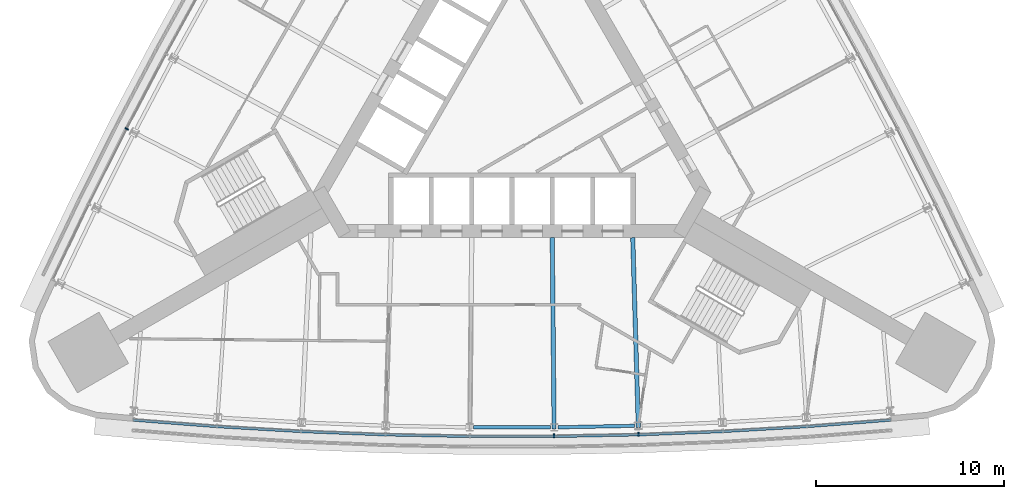
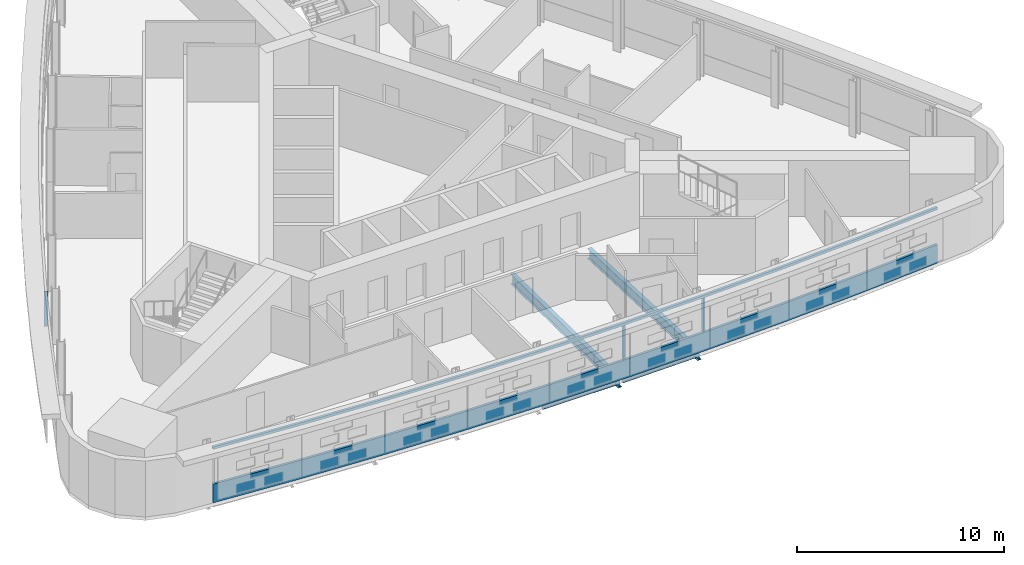
# One storey, part 3 of 13: 5 members, 4 beams, 2 elements without a shape of their own.
"""IFC4 building model written with IfcOpenShell, lengths in metres."""

from ifc_helpers import new_model, si_unit, direction, frame, origin, origin_2d, place, context, subcontext, project, spatial, polyline, rectangle, i_section, outline, extrude, material, material_profile, profile_set, type_object, element, aggregate, save


model = new_model("IFC4")

# Units and contexts
model_context = context("Model", 3, precision=1e-05, world=origin(), true_north=direction((0.0, 1.0)))
body_context = subcontext(model_context, "Body", "Model", "MODEL_VIEW")
ifc_project = project(units=[si_unit("LENGTHUNIT", "METRE"), si_unit("AREAUNIT", "SQUARE_METRE"), si_unit("VOLUMEUNIT", "CUBIC_METRE"), si_unit("PLANEANGLEUNIT", "RADIAN"), si_unit("MASSUNIT", "GRAM", prefix="KILO")], contexts=[model_context])

# Site, building, storey
site_placement = place(None, origin())
site = spatial("IfcSite", under=ifc_project, at=site_placement, CompositionType="ELEMENT")
building_placement = place(site_placement, origin())
building = spatial("IfcBuilding", under=site, at=building_placement, Name="Noor Cloister Tower", CompositionType="ELEMENT")
storey_placement = place(building_placement, frame((0.0, 0.0, 83.39990234375)))
storey = spatial("IfcBuildingStorey", under=building, at=storey_placement, Name="L21", CompositionType="ELEMENT", Elevation=83.39990234375)

# Curtain wall, member
ifc_material_1 = material(Name="Aluminium 6063-T6 anodised", Category="aluminium")
curtain_wall_type = type_object("IfcCurtainWallType", Name="Ribbon curtain wall, lower tower CW1", PredefinedType="NOTDEFINED", material=ifc_material_1)
curtain_wall_1_placement = place(storey_placement, origin())
curtain_wall_1 = element("IfcCurtainWall", 1, at=curtain_wall_1_placement, inside=storey, type_object=curtain_wall_type, Name="CW1 L21 S run 2", PredefinedType="NOTDEFINED")
ifc_material_2 = material(Name="Aluminium 6063-T6 anodised", Category="aluminium")
member_type_1 = type_object("IfcMemberType", Name="Head transom CW1 150", PredefinedType="USERDEFINED", material=ifc_material_2)
member_1_placement = place(storey_placement, frame((0.0, 0.0, 3.150146484375)))
member_1 = element("IfcMember", 2, at=member_1_placement, type_object=member_type_1, Name="CW1 head transom", ObjectType="TRANSOM", PredefinedType="USERDEFINED", context=body_context, shape_type="SweptSolid", body=[
    extrude(outline(polyline([(-20.22412109375, -16.7158203125), (-15.73779296875, -17.066162109375), (-11.24560546875, -17.328857421875), (-6.7490234375, -17.504150390625), (-2.25, -17.591796875), (2.25, -17.591796875), (6.7490234375, -17.504150390625), (11.24560546875, -17.328857421875), (15.73779296875, -17.066162109375), (20.22412109375, -16.7158203125), (20.213134765625, -16.576171875), (15.728271484375, -16.926513671875), (11.23876953125, -17.189208984375), (6.744873046875, -17.3642578125), (2.24853515625, -17.451904296875), (-2.24853515625, -17.451904296875), (-6.744873046875, -17.3642578125), (-11.23876953125, -17.189208984375), (-15.728271484375, -16.926513671875), (-20.213134765625, -16.576171875), (-20.22412109375, -16.7158203125)])), origin(), (0.0, 0.0, 1.0), 0.14990234375),
])

curtain_wall_2_placement = place(storey_placement, origin())
curtain_wall_2 = element("IfcCurtainWall", 3, at=curtain_wall_2_placement, inside=storey, type_object=curtain_wall_type, Name="CW1 L21 NW run 1", PredefinedType="NOTDEFINED")
ifc_material_3 = material(Name="Aluminium 6063-T6 anodised", Category="aluminium")
ifc_material_profile_1 = material_profile(ifc_material_3, rectangle(XDim=0.199951171875, YDim=0.080078125, at=origin_2d()), Name="200 x 80 mullion")
ifc_profile_set_1 = profile_set([ifc_material_profile_1], Name="Aluminium 6063-T6 anodised")
member_type_2 = type_object("IfcMemberType", Name="Mullion CW1 80 x 200", PredefinedType="MULLION", material=ifc_profile_set_1)
member_2_placement = place(storey_placement, frame((-20.541259765625, -1.1201171875, 1.10009765625), z_axis=(0.0, 0.0, 1.0), x_axis=(0.889338999208, -0.45724844941, 0.0)))
member_2 = element("IfcMember", 4, at=member_2_placement, type_object=member_type_2, Name="CW1 mullion 8", PredefinedType="MULLION", context=body_context, shape_type="SweptSolid", body=[
    extrude(rectangle(XDim=0.199951171875, YDim=0.080078125, at=origin_2d()), origin(), (0.0, 0.0, 1.0), 2.050048828125),
])
aggregate(curtain_wall_2, [member_2])

# Member
member_3_placement = place(storey_placement, frame((2.2490234375, -17.491943359375, 1.10009765625), z_axis=(0.0, 0.0, 1.0), x_axis=(-0.009739847876, 0.999952566557, 0.0)))
member_3 = element("IfcMember", 5, at=member_3_placement, type_object=member_type_2, Name="CW1 mullion 6", PredefinedType="MULLION", context=body_context, shape_type="SweptSolid", body=[
    extrude(rectangle(XDim=0.199951171875, YDim=0.080078125, at=origin_2d()), origin(), (0.0, 0.0, 1.0), 2.050048828125),
])

member_4_placement = place(storey_placement, frame((6.74609375, -17.404296875, 1.10009765625), z_axis=(0.0, 0.0, 1.0), x_axis=(-0.029215830313, 0.999573126519, 0.0)))
member_4 = element("IfcMember", 6, at=member_4_placement, type_object=member_type_2, Name="CW1 mullion 7", PredefinedType="MULLION", context=body_context, shape_type="SweptSolid", body=[
    extrude(rectangle(XDim=0.199951171875, YDim=0.080078125, at=origin_2d()), origin(), (0.0, 0.0, 1.0), 2.050048828125),
])

# Beams
ifc_material_4 = material(Name="Steel ASTM A992 Gr 50", Category="steel")
ifc_material_profile_2 = material_profile(ifc_material_4, i_section(OverallWidth=0.22802734375, OverallDepth=0.60205078125, WebThickness=0.010498046875, FlangeThickness=0.014892578125, FilletRadius=0.0126953125, at=origin_2d()), Name="W610x101")
ifc_profile_set_2 = profile_set([ifc_material_profile_2], Name="Steel ASTM A992 Gr 50")
beam_type_1 = type_object("IfcBeamType", Name="Radial beam W610x101", PredefinedType="BEAM", material=ifc_profile_set_2)
beam_1_placement = place(storey_placement, frame((2.24560546875, -17.138916015625, -0.5009765625), z_axis=(-0.009754933581, 0.999952419503, 0.0), x_axis=(-0.999952419503, -0.009754933581, 0.0)))
element("IfcBeam", 7, at=beam_1_placement, inside=storey, type_object=beam_type_1, Name="Radial beam S 06 L21", PredefinedType="BEAM", context=body_context, shape_type="SweptSolid", body=[
    extrude(i_section(OverallWidth=0.22802734375, OverallDepth=0.60205078125, WebThickness=0.010498046875, FlangeThickness=0.014892578125, FilletRadius=0.0126953125, at=origin_2d()), origin(), (0.0, 0.0, 1.0), 10.211181640625),
])
beam_2_placement = place(storey_placement, frame((6.73583984375, -17.051513671875, -0.5009765625), z_axis=(-0.029216992359, 0.999573092554, 0.0), x_axis=(-0.999573092554, -0.029216992359, 0.0)))
element("IfcBeam", 8, at=beam_2_placement, inside=storey, type_object=beam_type_1, Name="Radial beam S 07 L21", PredefinedType="BEAM", context=body_context, shape_type="SweptSolid", body=[
    extrude(i_section(OverallWidth=0.22802734375, OverallDepth=0.60205078125, WebThickness=0.010498046875, FlangeThickness=0.014892578125, FilletRadius=0.0126953125, at=origin_2d()), origin(), (0.0, 0.0, 1.0), 10.127685546875),
])

# Member
ifc_material_5 = material(Name="Aluminium 6063-T6 anodised", Category="aluminium")
member_type_3 = type_object("IfcMemberType", Name="Sill transom CW1 1100", PredefinedType="USERDEFINED", material=ifc_material_5)
member_5_placement = place(storey_placement, origin())
member_5 = element("IfcMember", 9, at=member_5_placement, type_object=member_type_3, Name="CW1 sill transom", ObjectType="TRANSOM", PredefinedType="USERDEFINED", context=body_context, shape_type="SweptSolid", body=[
    extrude(outline(polyline([(-20.22412109375, -16.7158203125), (-15.73779296875, -17.066162109375), (-11.24560546875, -17.328857421875), (-6.7490234375, -17.504150390625), (-2.25, -17.591796875), (2.25, -17.591796875), (6.7490234375, -17.504150390625), (11.24560546875, -17.328857421875), (15.73779296875, -17.066162109375), (20.22412109375, -16.7158203125), (20.213134765625, -16.576171875), (15.728271484375, -16.926513671875), (11.23876953125, -17.189208984375), (6.744873046875, -17.3642578125), (2.24853515625, -17.451904296875), (-2.24853515625, -17.451904296875), (-6.744873046875, -17.3642578125), (-11.23876953125, -17.189208984375), (-15.728271484375, -16.926513671875), (-20.213134765625, -16.576171875), (-20.22412109375, -16.7158203125)])), origin(), (0.0, 0.0, 1.0), 1.10009765625),
])

aggregate(curtain_wall_1, [member_3, member_4, member_5, member_1])

# Beams
ifc_material_6 = material(Name="Steel ASTM A992 Gr 50", Category="steel")
ifc_material_profile_3 = material_profile(ifc_material_6, i_section(OverallWidth=0.177978515625, OverallDepth=0.406005859375, WebThickness=0.0078125, FlangeThickness=0.0126953125, FilletRadius=0.01025390625, at=origin_2d()), Name="W410x60")
ifc_profile_set_3 = profile_set([ifc_material_profile_3], Name="Steel ASTM A992 Gr 50")
beam_type_2 = type_object("IfcBeamType", Name="Spandrel beam W410x60", PredefinedType="SPANDREL", material=ifc_profile_set_3)
beam_3_placement = place(storey_placement, frame((-2.042724609375, -17.0419921875, -0.40283203125), z_axis=(1.0, 0.0, 0.0), x_axis=(0.0, 1.0, 0.0)))
element("IfcBeam", 10, at=beam_3_placement, inside=storey, type_object=beam_type_2, Name="Spandrel beam S 05 L21", PredefinedType="SPANDREL", context=body_context, shape_type="SweptSolid", body=[
    extrude(i_section(OverallWidth=0.177978515625, OverallDepth=0.406005859375, WebThickness=0.0078125, FlangeThickness=0.0126953125, FilletRadius=0.01025390625, at=origin_2d()), origin(), (0.0, 0.0, 1.0), 4.08544921875),
])
beam_4_placement = place(storey_placement, frame((2.446533203125, -17.0380859375, -0.40283203125), z_axis=(0.999810202859, 0.019482254999, 0.0), x_axis=(-0.019482254999, 0.999810202859, 0.0)))
element("IfcBeam", 11, at=beam_4_placement, inside=storey, type_object=beam_type_2, Name="Spandrel beam S 06 L21", PredefinedType="SPANDREL", context=body_context, shape_type="SweptSolid", body=[
    extrude(i_section(OverallWidth=0.177978515625, OverallDepth=0.406005859375, WebThickness=0.0078125, FlangeThickness=0.0126953125, FilletRadius=0.01025390625, at=origin_2d()), origin(), (0.0, 0.0, 1.0), 4.085205078125),
])

save(model, "model.ifc")
